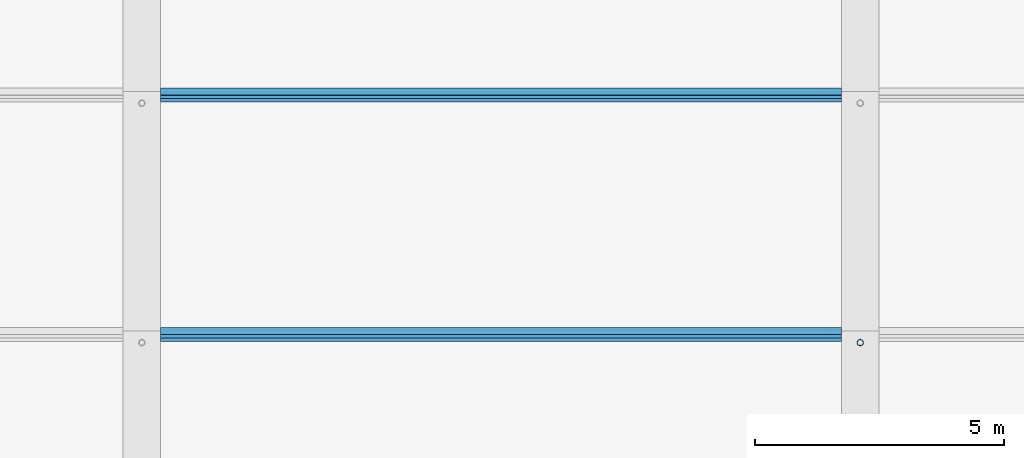
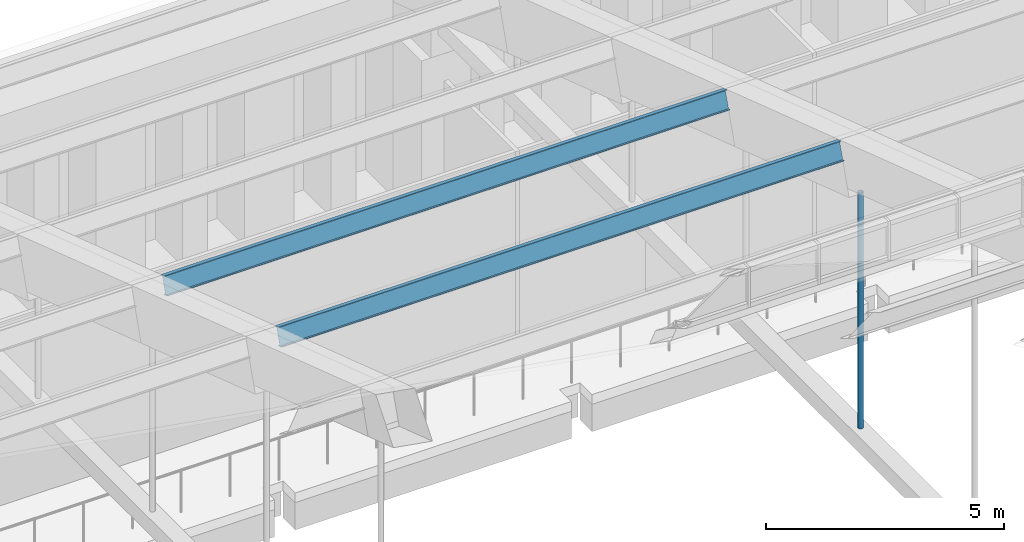
# One storey, part 62 of 149: 3 members.
"""IFC4 building model written with IfcOpenShell, lengths in metres."""

from ifc_helpers import new_model, si_unit, direction, frame, origin, origin_2d, place, context, subcontext, project, spatial, hollow_circle, i_section, extrude, material, material_profile, profile_set, type_object, element, save


model = new_model("IFC4")

# Units and contexts
model_context = context("Model", 3, precision=1e-05, world=origin(), true_north=direction((0.0, 1.0)))
body_context = subcontext(model_context, "Body", "Model", "MODEL_VIEW")
ifc_project = project(units=[si_unit("LENGTHUNIT", "METRE"), si_unit("AREAUNIT", "SQUARE_METRE"), si_unit("VOLUMEUNIT", "CUBIC_METRE"), si_unit("PLANEANGLEUNIT", "RADIAN"), si_unit("MASSUNIT", "GRAM", prefix="KILO")], contexts=[model_context])

# Site, building, storey
site_placement = place(None, origin())
site = spatial("IfcSite", under=ifc_project, at=site_placement, CompositionType="ELEMENT")
building_placement = place(site_placement, origin())
building = spatial("IfcBuilding", under=site, at=building_placement, Name="Alderwick Market Hall", CompositionType="ELEMENT")
storey_placement = place(building_placement, frame((0.0, 0.0, 9.60009765625)))
storey = spatial("IfcBuildingStorey", under=building, at=storey_placement, Name="L01", CompositionType="ELEMENT", Elevation=9.60009765625)

# Members
ifc_material_1 = material(Name="Steel ASTM A500 Grade C", Category="steel")
ifc_material_profile_1 = material_profile(ifc_material_1, hollow_circle(Radius=0.0634765625, WallThickness=0.005859375, at=origin_2d()), Name="HSS5.000x0.250")
ifc_profile_set_1 = profile_set([ifc_material_profile_1], Name="Steel ASTM A500 Grade C")
member_type_1 = type_object("IfcMemberType", Name="R Hanger HSS5.000x0.250", PredefinedType="POST", material=ifc_profile_set_1)
member_placement = place(storey_placement, frame((93.60009765625, 88.800048828125, 6.35302734375), z_axis=(0.0, 0.0, 1.0), x_axis=(1.0, 0.0, 0.0)))
element("IfcMember", 1, at=member_placement, inside=storey, type_object=member_type_1, Name="Arch hanger 4.8", PredefinedType="POST", context=body_context, shape_type="SweptSolid", body=[
    extrude(hollow_circle(Radius=0.0634765625, WallThickness=0.005859375, at=origin_2d()), origin(), (0.0, 0.0, 1.0), 6.0458984375),
])
ifc_material_2 = material(Name="Steel ASTM A992 Grade 50", Category="steel")
ifc_material_profile_2 = material_profile(ifc_material_2, i_section(OverallWidth=0.153076171875, OverallDepth=0.455078125, WebThickness=0.008056640625, FlangeThickness=0.01318359375, at=origin_2d()), Name="W18x40")
ifc_profile_set_2 = profile_set([ifc_material_profile_2], Name="Steel ASTM A992 Grade 50")
member_type_2 = type_object("IfcMemberType", Name="R Purlin W18x40", PredefinedType="PURLIN", material=ifc_profile_set_2)
for number, where, z_axis, x_axis, name in (
    (2, (79.574951171875, 88.96337890625, 13.489990234375), (1.0, 0.0, 0.0), (0.0, 0.948683297073, -0.316227768949), "Roof purlin 9.3"),
    (3, (79.574951171875, 93.763427734375, 11.889892578125), (1.0, 0.0, 0.0), (0.0, 0.948683297073, -0.316227768949), "Roof purlin 10.3"),
):
    element("IfcMember", number, at=place(storey_placement, frame(where, z_axis=z_axis, x_axis=x_axis)), inside=storey, type_object=member_type_2, Name=name, PredefinedType="PURLIN", context=body_context, shape_type="SweptSolid", body=[
        extrude(i_section(OverallWidth=0.153076171875, OverallDepth=0.455078125, WebThickness=0.008056640625, FlangeThickness=0.01318359375, at=origin_2d()), origin(), (0.0, 0.0, 1.0), 13.650146484375),
    ])

save(model, "model.ifc")
